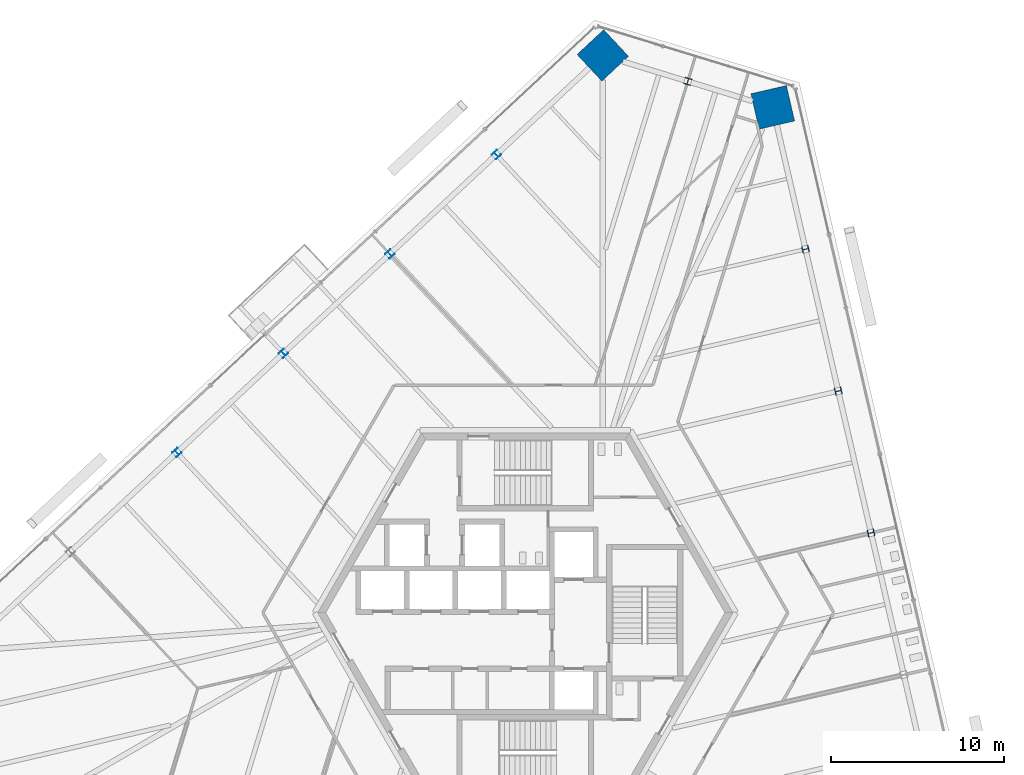
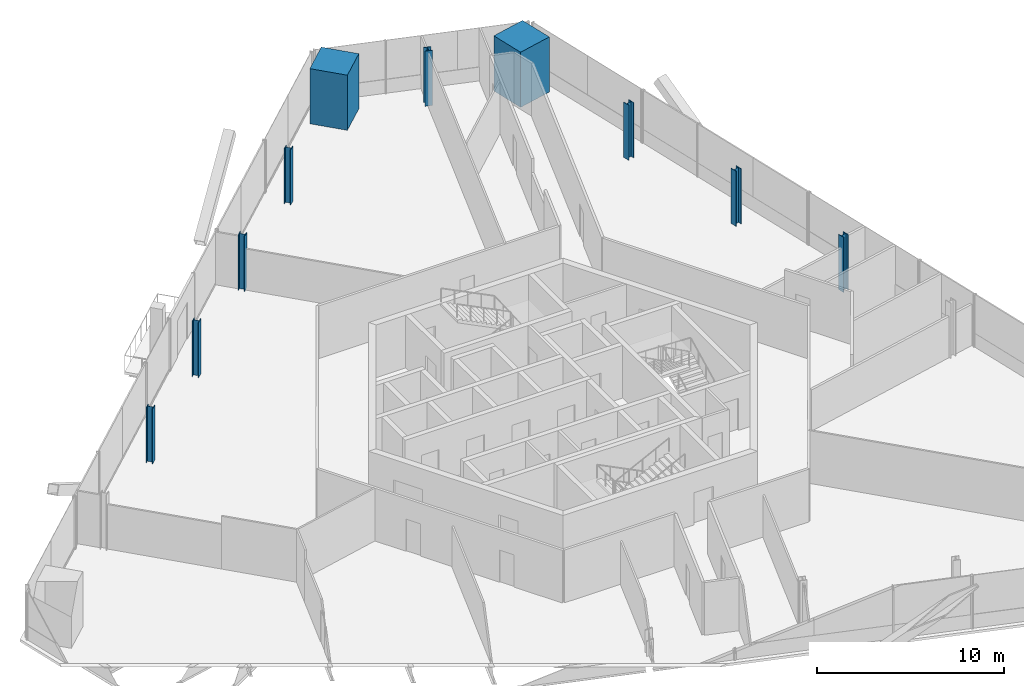
# One storey, part 3 of 17: 10 columns.
"""IFC4 building model written with IfcOpenShell, lengths in metres."""

from ifc_helpers import new_model, si_unit, direction, frame, origin, origin_2d, place, context, subcontext, project, spatial, rectangle, i_section, extrude, source, transform, mapped, material, material_profile, profile_set, type_object, element, save


model = new_model("IFC4")

# Units and contexts
model_context = context("Model", 3, precision=1e-05, world=origin(), true_north=direction((0.0, 1.0)))
body_context = subcontext(model_context, "Body", "Model", "MODEL_VIEW")
ifc_project = project(units=[si_unit("LENGTHUNIT", "METRE"), si_unit("AREAUNIT", "SQUARE_METRE"), si_unit("VOLUMEUNIT", "CUBIC_METRE"), si_unit("PLANEANGLEUNIT", "RADIAN"), si_unit("MASSUNIT", "GRAM", prefix="KILO")], contexts=[model_context])

# Site, building, storey
site_placement = place(None, origin())
site = spatial("IfcSite", under=ifc_project, at=site_placement, CompositionType="ELEMENT")
building_placement = place(site_placement, origin())
building = spatial("IfcBuilding", under=site, at=building_placement, Name="Triune Harvest Tower", CompositionType="ELEMENT")
storey_placement = place(building_placement, frame((0.0, 0.0, 123.5)))
storey = spatial("IfcBuildingStorey", under=building, at=storey_placement, Name="L31", CompositionType="ELEMENT", Elevation=123.5)

# Columns
ifc_material_1 = material(Name="Concrete 70 MPa", Category="concrete")
ifc_material_profile_1 = material_profile(ifc_material_1, rectangle(XDim=2.10009765625, YDim=2.10009765625, at=origin_2d()), Name="Composite 2100x2100")
ifc_profile_set_1 = profile_set([ifc_material_profile_1], Name="Concrete 70 MPa")
column_type_1 = type_object("IfcColumnType", Name="MC-3 Mega column Composite 2100x2100", PredefinedType="COLUMN", material=ifc_profile_set_1)
shared_shape_1 = source(origin(), body_context, "Body", "SweptSolid", [
    extrude(rectangle(XDim=2.10009765625, YDim=2.10009765625, at=origin_2d()), origin(), (0.0, 0.0, 1.0), 3.60009765625),
])
for number, where, z_axis, x_axis, name in (
    (1, (14.301513671875, 29.208984375, 0.0), (0.0, 0.0, 1.0), (-0.22495275494, 0.97436967217, 0.0), "col/L31/M6"),
    (2, (4.47705078125, 32.212646484375, 0.0), (0.0, 0.0, 1.0), (-0.73135489193, -0.681997083608, 0.0), "col/L31/M8"),
):
    element("IfcColumn", number, at=place(storey_placement, frame(where, z_axis=z_axis, x_axis=x_axis)), inside=storey, type_object=column_type_1, Name=name, PredefinedType="COLUMN", context=body_context, shape_type="MappedRepresentation", body=[
        mapped(shared_shape_1, transform((0.0, 0.0, 0.0), scale=1.0)),
    ])
ifc_material_2 = material(Name="Steel ASTM A992 Gr 50", Category="steel")
ifc_material_profile_2 = material_profile(ifc_material_2, i_section(OverallWidth=0.396240234375, OverallDepth=0.381103515625, WebThickness=0.01904296875, FlangeThickness=0.0302734375, at=origin_2d()), Name="W14x159")
ifc_profile_set_2 = profile_set([ifc_material_profile_2], Name="Steel ASTM A992 Gr 50")
column_type_2 = type_object("IfcColumnType", Name="PC-3 Perimeter column W14x159", PredefinedType="COLUMN", material=ifc_profile_set_2)
shared_shape_2 = source(origin(), body_context, "Body", "SweptSolid", [
    extrude(i_section(OverallWidth=0.396240234375, OverallDepth=0.381103515625, WebThickness=0.01904296875, FlangeThickness=0.0302734375, at=origin_2d()), origin(), (0.0, 0.0, 1.0), 3.60009765625),
])
for number, where, z_axis, x_axis, name in (
    (3, (19.97998046875, 4.61279296875, 0.0), (0.0, 0.0, 1.0), (-0.22495275494, 0.97436967217, 0.0), "col/L31/P3"),
    (4, (18.087158203125, 12.8115234375, 0.0), (0.0, 0.0, 1.0), (-0.22495275494, 0.97436967217, 0.0), "col/L31/P4"),
    (5, (16.1943359375, 21.01025390625, 0.0), (0.0, 0.0, 1.0), (-0.22495275494, 0.97436967217, 0.0), "col/L31/P5"),
    (6, (9.389404296875, 30.7109375, 0.0), (0.0, 0.0, 1.0), (-0.956304755963, 0.292371704723, 0.0), "col/L31/P7"),
    (7, (-1.6767578125, 26.47412109375, 0.0), (0.0, 0.0, 1.0), (-0.73135489193, -0.681997083608, 0.0), "col/L31/P9"),
    (8, (-7.830810546875, 20.7353515625, 0.0), (0.0, 0.0, 1.0), (-0.73135489193, -0.681997083608, 0.0), "col/L31/P10"),
    (9, (-13.984619140625, 14.996826171875, 0.0), (0.0, 0.0, 1.0), (-0.73135489193, -0.681997083608, 0.0), "col/L31/P11"),
    (10, (-20.138671875, 9.25830078125, 0.0), (0.0, 0.0, 1.0), (-0.73135489193, -0.681997083608, 0.0), "col/L31/P12"),
):
    element("IfcColumn", number, at=place(storey_placement, frame(where, z_axis=z_axis, x_axis=x_axis)), inside=storey, type_object=column_type_2, Name=name, PredefinedType="COLUMN", context=body_context, shape_type="MappedRepresentation", body=[
        mapped(shared_shape_2, transform((0.0, 0.0, 0.0), scale=1.0)),
    ])

save(model, "model.ifc")
